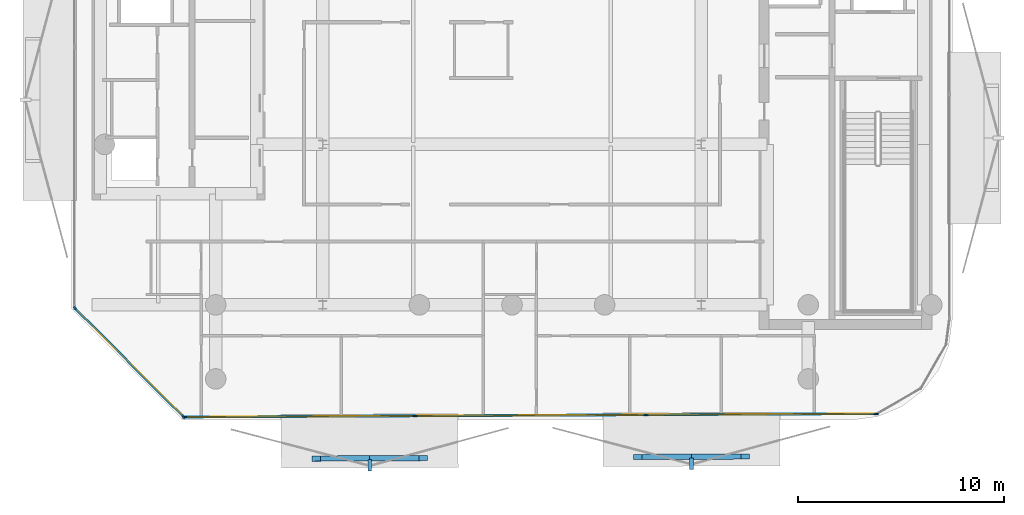
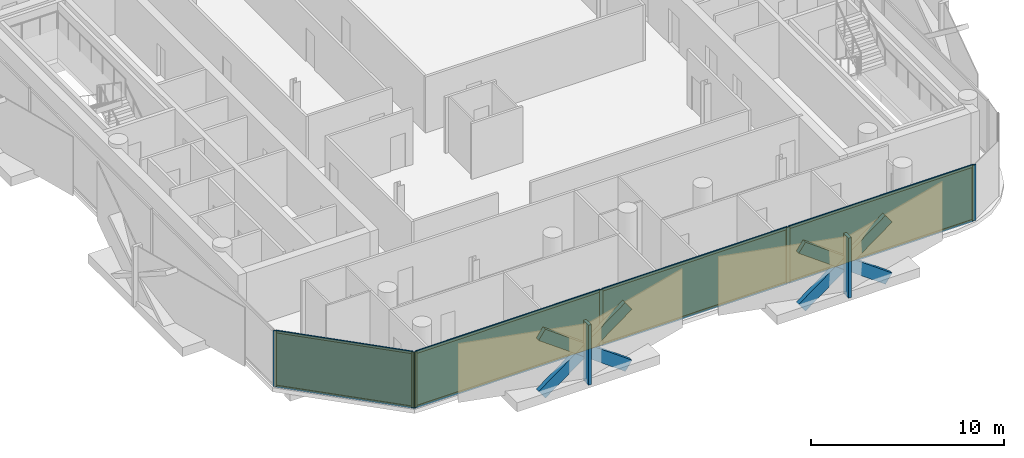
# One storey, part 9 of 16: 20 members, 4 plates, 2 curtain walls.
"""IFC4 building model written with IfcOpenShell, lengths in metres."""

from ifc_helpers import new_model, si_unit, direction, frame, frame_2d, origin, origin_2d, place, context, subcontext, project, spatial, rectangle, extrude, material, layer, layer_set, material_profile, profile_set, type_object, element, aggregate, save


model = new_model("IFC4")

# Units and contexts
model_context = context("Model", 3, precision=1e-05, world=origin(), true_north=direction((0.0, 1.0)))
body_context = subcontext(model_context, "Body", "Model", "MODEL_VIEW")
ifc_project = project(units=[si_unit("LENGTHUNIT", "METRE"), si_unit("AREAUNIT", "SQUARE_METRE"), si_unit("VOLUMEUNIT", "CUBIC_METRE"), si_unit("PLANEANGLEUNIT", "RADIAN"), si_unit("MASSUNIT", "GRAM", prefix="KILO")], contexts=[model_context])

# Member
ifc_material_1 = material(Name="Anodised Bronze Aluminium 6063-T6", Category="aluminium")
ifc_material_profile_1 = material_profile(ifc_material_1, rectangle(XDim=0.260009765625, YDim=0.699951171875, at=origin_2d()))
ifc_profile_set_1 = profile_set([ifc_material_profile_1], Name="Anodised Bronze Aluminium 6063-T6")
member_type_1 = type_object("IfcMemberType", Name="Bronze Diamond Solar-Screen Lattice Rib BDL-700", PredefinedType="MULLION", material=ifc_profile_set_1)
site_placement = place(None, origin())
building_placement = place(site_placement, origin())
storey_placement = place(building_placement, frame((0.0, 0.0, 281.39990234375)))
member_1_placement = place(storey_placement, frame((11.329345703125, -25.9677734375, -0.1298828125), z_axis=(-0.808050185606, -0.003898321739, 0.589100755923), x_axis=(-0.007703086652, 0.999962533587, -0.003948908388)))
member_1 = element("IfcMember", 1, at=member_1_placement, type_object=member_type_1, Name="L67 Bronze Diamond Solar Screen Lattice Rib 462A", PredefinedType="MULLION", context=body_context, shape_type="SweptSolid", body=[
    extrude(rectangle(XDim=0.260009765625, YDim=0.699951171875, at=origin_2d()), origin(), (0.0, 0.0, 1.0), 6.45068359375),
])

member_2_placement = place(storey_placement, frame((6.116943359375, -25.992919921875, -0.1298828125), z_axis=(0.808050185606, 0.003898321739, 0.589100755923), x_axis=(0.007703086652, -0.999962533587, -0.003948908388)))
member_2 = element("IfcMember", 2, at=member_2_placement, type_object=member_type_1, Name="L67 Bronze Diamond Solar Screen Lattice Rib 462B", PredefinedType="MULLION", context=body_context, shape_type="SweptSolid", body=[
    extrude(rectangle(XDim=0.260009765625, YDim=0.699951171875, at=origin_2d()), origin(), (0.0, 0.0, 1.0), 6.45068359375),
])

member_3_placement = place(storey_placement, frame((-4.3076171875, -26.043701171875, -0.1298828125), z_axis=(-0.808037049745, -0.003898440963, 0.589118772742), x_axis=(-0.00770340066, 0.999962531422, -0.003948844198)))
member_3 = element("IfcMember", 3, at=member_3_placement, type_object=member_type_1, Name="L67 Bronze Diamond Solar Screen Lattice Rib 463A", PredefinedType="MULLION", context=body_context, shape_type="SweptSolid", body=[
    extrude(rectangle(XDim=0.260009765625, YDim=0.699951171875, at=origin_2d()), origin(), (0.0, 0.0, 1.0), 6.450439453125),
])

member_4_placement = place(storey_placement, frame((-9.519775390625, -26.06884765625, -0.1298828125), z_axis=(0.808037049745, 0.003898440963, 0.589118772742), x_axis=(0.00770340066, -0.999962531422, -0.003948844198)))
member_4 = element("IfcMember", 4, at=member_4_placement, type_object=member_type_1, Name="L67 Bronze Diamond Solar Screen Lattice Rib 463B", PredefinedType="MULLION", context=body_context, shape_type="SweptSolid", body=[
    extrude(rectangle(XDim=0.260009765625, YDim=0.699951171875, at=origin_2d()), origin(), (0.0, 0.0, 1.0), 6.450439453125),
])

ifc_material_2 = material(Name="Anodised Bronze Aluminium 6063-T6", Category="aluminium")
ifc_material_profile_2 = material_profile(ifc_material_2, rectangle(XDim=0.179931640625, YDim=0.5400390625, at=origin_2d()))
ifc_profile_set_2 = profile_set([ifc_material_profile_2], Name="Anodised Bronze Aluminium 6063-T6")
member_type_2 = type_object("IfcMemberType", Name="Bronze Solar-Screen Vertical Fold Fin BSF-540", PredefinedType="MULLION", material=ifc_profile_set_2)
member_5_placement = place(storey_placement, frame((8.724853515625, -26.3203125, -0.1298828125), z_axis=(0.0, 0.0, 1.0), x_axis=(-0.999988059021, -0.004886902454, 0.0)))
member_5 = element("IfcMember", 5, at=member_5_placement, type_object=member_type_2, Name="L67 Bronze Solar Screen Vertical Fin 462", PredefinedType="MULLION", context=body_context, shape_type="SweptSolid", body=[
    extrude(rectangle(XDim=0.179931640625, YDim=0.5400390625, at=origin_2d()), origin(), (0.0, 0.0, 1.0), 3.800048828125),
])

member_6_placement = place(storey_placement, frame((-6.912109375, -26.396240234375, -0.1298828125), z_axis=(0.0, 0.0, 1.0), x_axis=(-0.999988059021, -0.004886902454, 0.0)))
member_6 = element("IfcMember", 6, at=member_6_placement, type_object=member_type_2, Name="L67 Bronze Solar Screen Vertical Fin 463", PredefinedType="MULLION", context=body_context, shape_type="SweptSolid", body=[
    extrude(rectangle(XDim=0.179931640625, YDim=0.5400390625, at=origin_2d()), origin(), (0.0, 0.0, 1.0), 3.800048828125),
])

ifc_material_3 = material(Name="Anodised Bronze Aluminium 6063-T6", Category="aluminium")
ifc_material_profile_3 = material_profile(ifc_material_3, rectangle(XDim=0.074951171875, YDim=0.2099609375, at=origin_2d()))
ifc_profile_set_3 = profile_set([ifc_material_profile_3], Name="Anodised Bronze Aluminium 6063-T6")
member_type_3 = type_object("IfcMemberType", Name="CW-CRN Mullion 75x210", PredefinedType="MULLION", material=ifc_profile_set_3)
member_7_placement = place(storey_placement, frame((17.694091796875, -23.896728515625, 0.0), z_axis=(0.0, 0.0, 1.0), x_axis=(0.004852394492, -0.999988227065, 0.0)))
member_7 = element("IfcMember", 7, at=member_7_placement, type_object=member_type_3, Name="CW-CRN mullion 1", PredefinedType="MULLION", context=body_context, shape_type="SweptSolid", body=[
    extrude(rectangle(XDim=0.074951171875, YDim=0.2099609375, at=origin_2d()), origin(), (0.0, 0.0, 1.0), 3.5400390625),
])

member_8_placement = place(storey_placement, frame((6.507080078125, -23.951171875, 0.0), z_axis=(0.0, 0.0, 1.0), x_axis=(0.004852394492, -0.999988227065, 0.0)))
member_8 = element("IfcMember", 8, at=member_8_placement, type_object=member_type_3, Name="CW-CRN mullion 2", PredefinedType="MULLION", context=body_context, shape_type="SweptSolid", body=[
    extrude(rectangle(XDim=0.074951171875, YDim=0.2099609375, at=origin_2d()), origin(), (0.0, 0.0, 1.0), 3.5400390625),
])

member_9_placement = place(storey_placement, frame((-4.717529296875, -24.005615234375, 0.0), z_axis=(0.0, 0.0, 1.0), x_axis=(0.004852394492, -0.999988227065, 0.0)))
member_9 = element("IfcMember", 9, at=member_9_placement, type_object=member_type_3, Name="CW-CRN mullion 3", PredefinedType="MULLION", context=body_context, shape_type="SweptSolid", body=[
    extrude(rectangle(XDim=0.074951171875, YDim=0.2099609375, at=origin_2d()), origin(), (0.0, 0.0, 1.0), 3.5400390625),
])

member_10_placement = place(storey_placement, frame((-15.904541015625, -24.059814453125, 0.0), z_axis=(0.0, 0.0, 1.0), x_axis=(0.004852394492, -0.999988227065, 0.0)))
member_10 = element("IfcMember", 10, at=member_10_placement, type_object=member_type_3, Name="CW-CRN mullion 4", PredefinedType="MULLION", context=body_context, shape_type="SweptSolid", body=[
    extrude(rectangle(XDim=0.074951171875, YDim=0.2099609375, at=origin_2d()), origin(), (0.0, 0.0, 1.0), 3.5400390625),
])

ifc_material_4 = material(Name="Anodised Bronze Aluminium 6063-T6", Category="aluminium")
ifc_material_profile_4 = material_profile(ifc_material_4, rectangle(XDim=0.074951171875, YDim=0.1650390625, at=origin_2d()))
ifc_profile_set_4 = profile_set([ifc_material_profile_4], Name="Anodised Bronze Aluminium 6063-T6")
member_type_4 = type_object("IfcMemberType", Name="CW-CRN Transom 75x165", PredefinedType="USERDEFINED", material=ifc_profile_set_4)
member_11_placement = place(storey_placement, frame((17.65673828125, -23.89697265625, 0.03759765625), z_axis=(-0.999988212064, -0.004855484892, 0.0), x_axis=(0.004855484892, -0.999988212064, 0.0)))
member_11 = element("IfcMember", 11, at=member_11_placement, type_object=member_type_4, Name="CW-CRN transom 1.1", ObjectType="TRANSOM", PredefinedType="USERDEFINED", context=body_context, shape_type="SweptSolid", body=[
    extrude(rectangle(XDim=0.074951171875, YDim=0.1650390625, at=origin_2d()), origin(), (0.0, 0.0, 1.0), 11.1123046875),
])

member_12_placement = place(storey_placement, frame((17.65673828125, -23.89697265625, 3.502685546875), z_axis=(-0.999988212064, -0.004855484892, 0.0), x_axis=(0.004855484892, -0.999988212064, 0.0)))
member_12 = element("IfcMember", 12, at=member_12_placement, type_object=member_type_4, Name="CW-CRN transom 1.2", ObjectType="TRANSOM", PredefinedType="USERDEFINED", context=body_context, shape_type="SweptSolid", body=[
    extrude(rectangle(XDim=0.074951171875, YDim=0.1650390625, at=origin_2d()), origin(), (0.0, 0.0, 1.0), 11.1123046875),
])

member_13_placement = place(storey_placement, frame((6.4697265625, -23.951171875, 0.03759765625), z_axis=(-0.999988185231, -0.004861008061, 0.0), x_axis=(0.004861008061, -0.999988185231, 0.0)))
member_13 = element("IfcMember", 13, at=member_13_placement, type_object=member_type_4, Name="CW-CRN transom 2.1", ObjectType="TRANSOM", PredefinedType="USERDEFINED", context=body_context, shape_type="SweptSolid", body=[
    extrude(rectangle(XDim=0.074951171875, YDim=0.1650390625, at=origin_2d()), origin(), (0.0, 0.0, 1.0), 11.14990234375),
])

member_14_placement = place(storey_placement, frame((6.4697265625, -23.951171875, 3.502685546875), z_axis=(-0.999988185231, -0.004861008061, 0.0), x_axis=(0.004861008061, -0.999988185231, 0.0)))
member_14 = element("IfcMember", 14, at=member_14_placement, type_object=member_type_4, Name="CW-CRN transom 2.2", ObjectType="TRANSOM", PredefinedType="USERDEFINED", context=body_context, shape_type="SweptSolid", body=[
    extrude(rectangle(XDim=0.074951171875, YDim=0.1650390625, at=origin_2d()), origin(), (0.0, 0.0, 1.0), 11.14990234375),
])

member_15_placement = place(storey_placement, frame((-4.7548828125, -24.005615234375, 0.03759765625), z_axis=(-0.999988212064, -0.004855484892, 0.0), x_axis=(0.004855484892, -0.999988212064, 0.0)))
member_15 = element("IfcMember", 15, at=member_15_placement, type_object=member_type_4, Name="CW-CRN transom 3.1", ObjectType="TRANSOM", PredefinedType="USERDEFINED", context=body_context, shape_type="SweptSolid", body=[
    extrude(rectangle(XDim=0.074951171875, YDim=0.1650390625, at=origin_2d()), origin(), (0.0, 0.0, 1.0), 11.1123046875),
])

member_16_placement = place(storey_placement, frame((-4.7548828125, -24.005615234375, 3.502685546875), z_axis=(-0.999988212064, -0.004855484892, 0.0), x_axis=(0.004855484892, -0.999988212064, 0.0)))
member_16 = element("IfcMember", 16, at=member_16_placement, type_object=member_type_4, Name="CW-CRN transom 3.2", ObjectType="TRANSOM", PredefinedType="USERDEFINED", context=body_context, shape_type="SweptSolid", body=[
    extrude(rectangle(XDim=0.074951171875, YDim=0.1650390625, at=origin_2d()), origin(), (0.0, 0.0, 1.0), 11.1123046875),
])

ifc_material_5 = material(Name="Anodised Bronze Aluminium 6063-T6", Category="aluminium")
ifc_material_profile_5 = material_profile(ifc_material_5, rectangle(XDim=0.070068359375, YDim=0.18994140625, at=origin_2d()))
ifc_profile_set_5 = profile_set([ifc_material_profile_5], Name="Anodised Bronze Aluminium 6063-T6")
member_type_5 = type_object("IfcMemberType", Name="CW-SLC Mullion 70x190", PredefinedType="MULLION", material=ifc_profile_set_5)
member_17_placement = place(storey_placement, frame((-15.966796875, -24.03515625, 0.0), z_axis=(0.0, 0.0, 1.0), x_axis=(-0.707106781187, -0.707106781187, 0.0)))
member_17 = element("IfcMember", 17, at=member_17_placement, type_object=member_type_5, Name="CW-SLC mullion 1", PredefinedType="MULLION", context=body_context, shape_type="SweptSolid", body=[
    extrude(rectangle(XDim=0.070068359375, YDim=0.18994140625, at=origin_2d()), origin(), (0.0, 0.0, 1.0), 3.5400390625),
])

member_18_placement = place(storey_placement, frame((-21.2353515625, -18.766845703125, 0.0), z_axis=(0.0, 0.0, 1.0), x_axis=(-0.707106781187, -0.707106781187, 0.0)))
member_18 = element("IfcMember", 18, at=member_18_placement, type_object=member_type_5, Name="CW-SLC mullion 2", PredefinedType="MULLION", context=body_context, shape_type="SweptSolid", body=[
    extrude(rectangle(XDim=0.070068359375, YDim=0.18994140625, at=origin_2d()), origin(), (0.0, 0.0, 1.0), 3.5400390625),
])

ifc_material_6 = material(Name="Anodised Bronze Aluminium 6063-T6", Category="aluminium")
ifc_material_profile_6 = material_profile(ifc_material_6, rectangle(XDim=0.070068359375, YDim=0.14990234375, at=origin_2d()))
ifc_profile_set_6 = profile_set([ifc_material_profile_6], Name="Anodised Bronze Aluminium 6063-T6")
member_type_6 = type_object("IfcMemberType", Name="CW-SLC Transom 70x150", PredefinedType="USERDEFINED", material=ifc_profile_set_6)
member_19_placement = place(storey_placement, frame((-15.991455078125, -24.010498046875, 0.03515625), z_axis=(-0.707106781187, 0.707106781187, 0.0), x_axis=(-0.707106781187, -0.707106781187, 0.0)))
member_19 = element("IfcMember", 19, at=member_19_placement, type_object=member_type_6, Name="CW-SLC transom 1.1", ObjectType="TRANSOM", PredefinedType="USERDEFINED", context=body_context, shape_type="SweptSolid", body=[
    extrude(rectangle(XDim=0.070068359375, YDim=0.14990234375, at=origin_2d()), origin(), (0.0, 0.0, 1.0), 7.380859375),
])

member_20_placement = place(storey_placement, frame((-15.991455078125, -24.010498046875, 3.505126953125), z_axis=(-0.707106781187, 0.707106781187, 0.0), x_axis=(-0.707106781187, -0.707106781187, 0.0)))
member_20 = element("IfcMember", 20, at=member_20_placement, type_object=member_type_6, Name="CW-SLC transom 1.2", ObjectType="TRANSOM", PredefinedType="USERDEFINED", context=body_context, shape_type="SweptSolid", body=[
    extrude(rectangle(XDim=0.070068359375, YDim=0.14990234375, at=origin_2d()), origin(), (0.0, 0.0, 1.0), 7.380859375),
])

# Plate
ifc_material_7 = material(Name="Low-E Solar Control Laminated Glass", Category="glass")
ifc_layer_1 = layer(ifc_material_7, 0.035888671875, Name="Low-E Solar Control Laminated Glass")
ifc_layer_set_1 = layer_set([ifc_layer_1], Name="Low-E Solar Control Laminated Glass")
plate_type_1 = type_object("IfcPlateType", Name="CW-CRN Low-E Double Glazed Panel 36mm", PredefinedType="CURTAIN_PANEL", material=ifc_layer_set_1)
plate_1_placement = place(storey_placement, frame((12.1005859375, -23.923828125, 0.0751953125), z_axis=(0.0, 0.0, 1.0), x_axis=(-0.999988227065, -0.004852394492, 0.0)))
plate_1 = element("IfcPlate", 21, at=plate_1_placement, type_object=plate_type_1, Name="CW-CRN panel 1.1", PredefinedType="CURTAIN_PANEL", context=body_context, shape_type="SweptSolid", body=[
    extrude(rectangle(XDim=11.1123046875, YDim=0.035888671875, at=origin_2d()), origin(), (0.0, 0.0, 1.0), 3.389892578125),
])

plate_2_placement = place(storey_placement, frame((0.894775390625, -23.978271484375, 0.0751953125), z_axis=(0.0, 0.0, 1.0), x_axis=(-0.999988227065, -0.004852394492, 0.0)))
plate_2 = element("IfcPlate", 22, at=plate_2_placement, type_object=plate_type_1, Name="CW-CRN panel 2.1", PredefinedType="CURTAIN_PANEL", context=body_context, shape_type="SweptSolid", body=[
    extrude(rectangle(XDim=11.149658203125, YDim=0.035888671875, at=origin_2d()), origin(), (0.0, 0.0, 1.0), 3.389892578125),
])

plate_3_placement = place(storey_placement, frame((-10.31103515625, -24.03271484375, 0.0751953125), z_axis=(0.0, 0.0, 1.0), x_axis=(-0.999988227065, -0.004852394492, 0.0)))
plate_3 = element("IfcPlate", 23, at=plate_3_placement, type_object=plate_type_1, Name="CW-CRN panel 3.1", PredefinedType="CURTAIN_PANEL", context=body_context, shape_type="SweptSolid", body=[
    extrude(rectangle(XDim=11.1123046875, YDim=0.035888671875, at=origin_2d()), origin(), (0.0, 0.0, 1.0), 3.389892578125),
])

ifc_material_8 = material(Name="Low-E Solar Control Laminated Glass", Category="glass")
ifc_layer_2 = layer(ifc_material_8, 0.033935546875, Name="Low-E Solar Control Laminated Glass")
ifc_layer_set_2 = layer_set([ifc_layer_2], Name="Low-E Solar Control Laminated Glass")
plate_type_2 = type_object("IfcPlateType", Name="CW-SLC Low-E Double Glazed Panel 34mm", PredefinedType="CURTAIN_PANEL", material=ifc_layer_set_2)
plate_4_placement = place(storey_placement, frame((-18.60107421875, -21.40087890625, 0.070068359375), z_axis=(0.0, 0.0, 1.0), x_axis=(-0.707106781187, 0.707106781187, 0.0)))
plate_4 = element("IfcPlate", 24, at=plate_4_placement, type_object=plate_type_2, Name="CW-SLC panel 1.1", PredefinedType="CURTAIN_PANEL", context=body_context, shape_type="SweptSolid", body=[
    extrude(rectangle(XDim=7.380859375, YDim=0.033935546875, at=origin_2d()), origin(), (0.0, 0.0, 1.0), 3.39990234375),
])

# Site, building, storey
site = spatial("IfcSite", under=ifc_project, at=site_placement, CompositionType="ELEMENT")
building = spatial("IfcBuilding", under=site, at=building_placement, Name="Khairoan Windgate Tower", CompositionType="ELEMENT")
storey = spatial("IfcBuildingStorey", under=building, at=storey_placement, Name="L67", CompositionType="ELEMENT", Elevation=281.39990234375)

# Curtain wall
ifc_material_9 = material(Name="Anodised Bronze Aluminium 6063-T6", Category="aluminium")
ifc_layer_3 = layer(ifc_material_9, 0.2099609375, Name="Anodised Bronze Aluminium 6063-T6")
ifc_layer_set_3 = layer_set([ifc_layer_3], Name="Anodised Bronze Aluminium 6063-T6")
curtain_wall_type_1 = type_object("IfcCurtainWallType", Name="Crown Observation and Vitrine Curtain Wall CW-CRN", PredefinedType="NOTDEFINED", material=ifc_layer_set_3)
curtain_wall_1_placement = place(storey_placement, frame((17.731689453125, -23.896484375, 0.0), z_axis=(0.0, 0.0, 1.0), x_axis=(-0.999988201865, -0.004857584775, 0.0)))
curtain_wall_1 = element("IfcCurtainWall", 25, at=curtain_wall_1_placement, inside=storey, type_object=curtain_wall_type_1, Name="L67 Unitised Curtain Wall 1", PredefinedType="NOTDEFINED", context=body_context, shape_type="SweptSolid", body=[
    extrude(rectangle(XDim=33.674072265625, YDim=0.010009765625, at=frame_2d((16.8369140625, 0.0))), origin(), (0.0, 0.0, 1.0), 3.5400390625),
])

aggregate(curtain_wall_1, [member_7, member_8, member_9, member_10, member_11, member_12, plate_1, member_13, member_14, plate_2, member_15, member_16, plate_3, member_1, member_2, member_5, member_3, member_4, member_6])

ifc_material_10 = material(Name="Anodised Bronze Aluminium 6063-T6", Category="aluminium")
ifc_layer_4 = layer(ifc_material_10, 0.18994140625, Name="Anodised Bronze Aluminium 6063-T6")
ifc_layer_set_4 = layer_set([ifc_layer_4], Name="Anodised Bronze Aluminium 6063-T6")
curtain_wall_type_2 = type_object("IfcCurtainWallType", Name="Diagonal Corner-Slice Facet Curtain Wall CW-SLC", PredefinedType="NOTDEFINED", material=ifc_layer_set_4)
curtain_wall_2_placement = place(storey_placement, frame((-15.94189453125, -24.06005859375, 0.0), z_axis=(0.0, 0.0, 1.0), x_axis=(-0.707106781187, 0.707106781187, 0.0)))
curtain_wall_2 = element("IfcCurtainWall", 26, at=curtain_wall_2_placement, inside=storey, type_object=curtain_wall_type_2, Name="L67 Crystal Slice Curtain Wall 2", PredefinedType="NOTDEFINED", context=body_context, shape_type="SweptSolid", body=[
    extrude(rectangle(XDim=7.52099609375, YDim=0.010009765625, at=frame_2d((3.760498046875, 0.0))), origin(), (0.0, 0.0, 1.0), 3.5400390625),
])

aggregate(curtain_wall_2, [member_17, member_18, member_19, member_20, plate_4])

save(model, "model.ifc")
